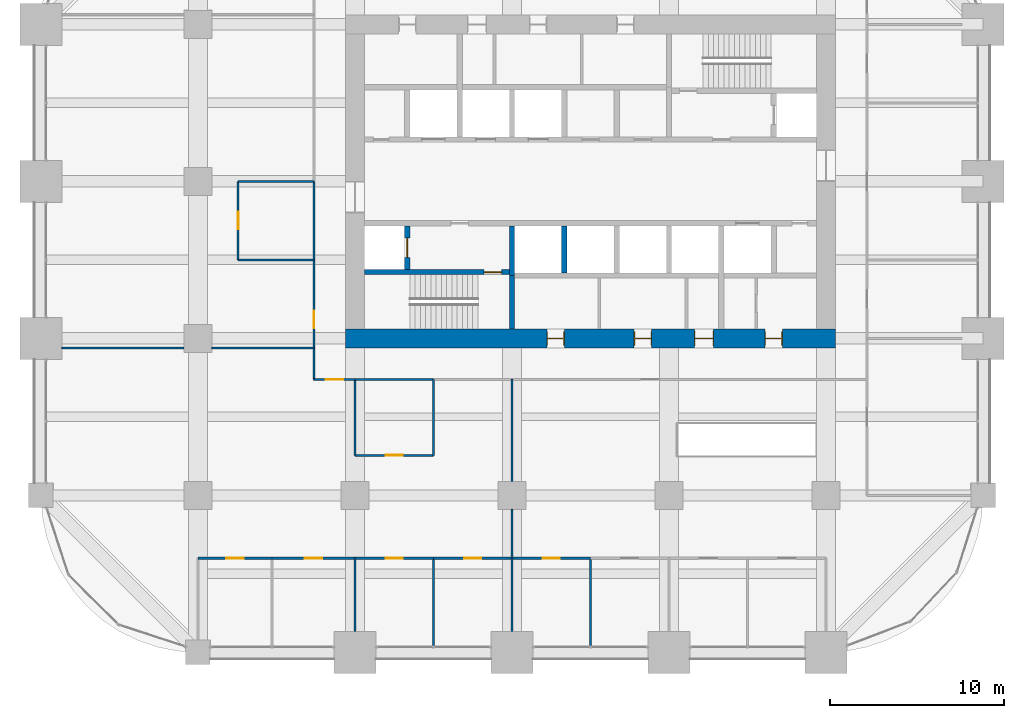
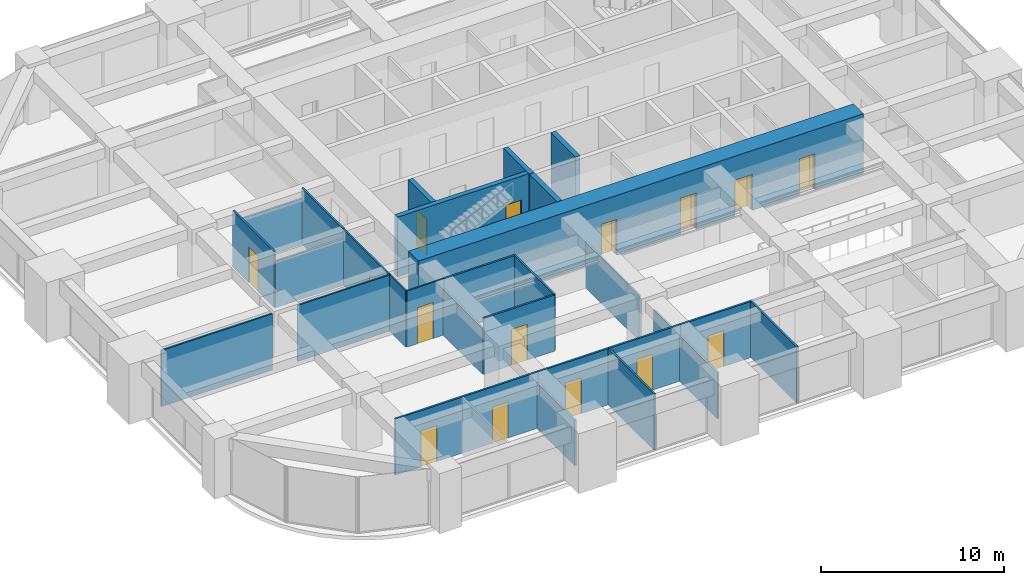
# One storey, part 29 of 33: 29 walls, 15 doors, 15 openings.
"""IFC4 building model written with IfcOpenShell, lengths in metres."""

from ifc_helpers import new_model, si_unit, direction, frame, frame_2d, origin, place, context, subcontext, project, spatial, rectangle, extrude, material, layer, layer_set, type_object, element, fill, save


model = new_model("IFC4")

# Units and contexts
model_context = context("Model", 3, precision=1e-05, world=origin(), true_north=direction((0.0, 1.0)))
body_context = subcontext(model_context, "Body", "Model", "MODEL_VIEW")
ifc_project = project(units=[si_unit("LENGTHUNIT", "METRE"), si_unit("AREAUNIT", "SQUARE_METRE"), si_unit("VOLUMEUNIT", "CUBIC_METRE"), si_unit("PLANEANGLEUNIT", "RADIAN"), si_unit("MASSUNIT", "GRAM", prefix="KILO")], contexts=[model_context])

# Site, building, storey
site_placement = place(None, origin())
site = spatial("IfcSite", under=ifc_project, at=site_placement, CompositionType="ELEMENT")
building_placement = place(site_placement, origin())
building = spatial("IfcBuilding", under=site, at=building_placement, Name="Zorevar Civic Tower", CompositionType="ELEMENT")
storey_placement = place(building_placement, frame((0.0, 0.0, 178.199951171875)))
storey = spatial("IfcBuildingStorey", under=building, at=storey_placement, Name="L43", CompositionType="ELEMENT", Elevation=178.199951171875)

# Wall, openings, doors
ifc_material_1 = material(Name="Concrete C50/60", Category="concrete")
ifc_layer_1 = layer(ifc_material_1, 1.10009765625)
ifc_layer_set_1 = layer_set([ifc_layer_1], Name="Core wall 1100")
wall_type_1 = type_object("IfcWallType", Name="Core wall 1100", PredefinedType="SHEAR", material=ifc_layer_set_1)
wall_1_placement = place(storey_placement, frame((17.449951171875, 18.0, 0.0), z_axis=(0.0, 0.0, 1.0), x_axis=(1.0, 0.0, 0.0)))
wall_1 = element("IfcWall", 1, at=wall_1_placement, inside=storey, type_object=wall_type_1, Name="Core wall S L43", PredefinedType="SHEAR", context=body_context, shape_type="SweptSolid", body=[
    extrude(rectangle(XDim=28.10009765625, YDim=1.10009765625, at=frame_2d((14.050048828125, 0.0))), origin(), (0.0, 0.0, 1.0), 4.0),
])
opening_1_placement = place(wall_1_placement, frame((11.550048828125, 0.0, 0.0)))
opening_1 = element("IfcOpeningElement", 2, at=opening_1_placement, cuts=wall_1, Name="Opening L43.03", PredefinedType="OPENING", context=body_context, shape_type="SweptSolid", body=[
    extrude(rectangle(XDim=1.0, YDim=2.39990234375, at=frame_2d((0.5, 1.199951171875))), frame((0.0, 0.56005859375, 0.0), z_axis=(0.0, -1.0, 0.0), x_axis=(1.0, 0.0, 0.0)), (0.0, 0.0, 1.0), 1.1201171875),
])
opening_2_placement = place(wall_1_placement, frame((16.550048828125, 0.0, 0.0)))
opening_2 = element("IfcOpeningElement", 3, at=opening_2_placement, cuts=wall_1, Name="Opening L43.04", PredefinedType="OPENING", context=body_context, shape_type="SweptSolid", body=[
    extrude(rectangle(XDim=1.0, YDim=2.39990234375, at=frame_2d((0.5, 1.199951171875))), frame((0.0, 0.56005859375, 0.0), z_axis=(0.0, -1.0, 0.0), x_axis=(1.0, 0.0, 0.0)), (0.0, 0.0, 1.0), 1.1201171875),
])
opening_3_placement = place(wall_1_placement, frame((20.0, 0.0, 0.0)))
opening_3 = element("IfcOpeningElement", 4, at=opening_3_placement, cuts=wall_1, Name="Opening L43.05", PredefinedType="OPENING", context=body_context, shape_type="SweptSolid", body=[
    extrude(rectangle(XDim=1.10009765625, YDim=2.39990234375, at=frame_2d((0.550048828125, 1.199951171875))), frame((0.0, 0.56005859375, 0.0), z_axis=(0.0, -1.0, 0.0), x_axis=(1.0, 0.0, 0.0)), (0.0, 0.0, 1.0), 1.1201171875),
])
opening_4_placement = place(wall_1_placement, frame((24.050048828125, 0.0, 0.0)))
opening_4 = element("IfcOpeningElement", 5, at=opening_4_placement, cuts=wall_1, Name="Opening L43.06", PredefinedType="OPENING", context=body_context, shape_type="SweptSolid", body=[
    extrude(rectangle(XDim=1.0, YDim=2.39990234375, at=frame_2d((0.5, 1.199951171875))), frame((0.0, 0.56005859375, 0.0), z_axis=(0.0, -1.0, 0.0), x_axis=(1.0, 0.0, 0.0)), (0.0, 0.0, 1.0), 1.1201171875),
])
ifc_material_2 = material(Name="Timber door set", Category="wood")
door_type_1 = type_object("IfcDoorType", Name="Door D1 1000x2400", OperationType="SINGLE_SWING_LEFT", PredefinedType="DOOR", material=ifc_material_2)
door_1_placement = place(opening_1_placement, origin())
door_1 = element("IfcDoor", 6, at=door_1_placement, inside=storey, type_object=door_type_1, Name="Door L43 02", OperationType="SINGLE_SWING_RIGHT", OverallHeight=2.39990234375, OverallWidth=1.0, PredefinedType="DOOR", context=body_context, shape_type="SweptSolid", body=[
    extrude(rectangle(XDim=1.0, YDim=2.39990234375, at=frame_2d((0.5, 1.199951171875))), frame((0.0, 0.02490234375, 0.0), z_axis=(0.0, -1.0, 0.0), x_axis=(1.0, 0.0, 0.0)), (0.0, 0.0, 1.0), 0.050048828125),
    extrude(rectangle(XDim=0.04, YDim=2.39990234375, at=frame_2d((0.02001953125, 1.199951171875))), frame((0.0, 0.39990234375, 0.0), z_axis=(0.0, -1.0, 0.0), x_axis=(1.0, 0.0, 0.0)), (0.0, 0.0, 1.0), 0.800048828125),
    extrude(rectangle(XDim=0.04, YDim=2.39990234375, at=frame_2d((0.97998046875, 1.199951171875))), frame((0.0, 0.39990234375, 0.0), z_axis=(0.0, -1.0, 0.0), x_axis=(1.0, 0.0, 0.0)), (0.0, 0.0, 1.0), 0.800048828125),
    extrude(rectangle(XDim=1.0, YDim=0.04, at=frame_2d((0.5, 2.3798828125))), frame((0.0, 0.39990234375, 0.0), z_axis=(0.0, -1.0, 0.0), x_axis=(1.0, 0.0, 0.0)), (0.0, 0.0, 1.0), 0.800048828125),
])
fill(opening_1, door_1)
door_2_placement = place(opening_2_placement, origin())
door_2 = element("IfcDoor", 7, at=door_2_placement, inside=storey, type_object=door_type_1, Name="Door L43 03", OperationType="SINGLE_SWING_LEFT", OverallHeight=2.39990234375, OverallWidth=1.0, PredefinedType="DOOR", context=body_context, shape_type="SweptSolid", body=[
    extrude(rectangle(XDim=1.0, YDim=2.39990234375, at=frame_2d((0.5, 1.199951171875))), frame((0.0, 0.02490234375, 0.0), z_axis=(0.0, -1.0, 0.0), x_axis=(1.0, 0.0, 0.0)), (0.0, 0.0, 1.0), 0.050048828125),
    extrude(rectangle(XDim=0.04, YDim=2.39990234375, at=frame_2d((0.02001953125, 1.199951171875))), frame((0.0, 0.39990234375, 0.0), z_axis=(0.0, -1.0, 0.0), x_axis=(1.0, 0.0, 0.0)), (0.0, 0.0, 1.0), 0.800048828125),
    extrude(rectangle(XDim=0.04, YDim=2.39990234375, at=frame_2d((0.97998046875, 1.199951171875))), frame((0.0, 0.39990234375, 0.0), z_axis=(0.0, -1.0, 0.0), x_axis=(1.0, 0.0, 0.0)), (0.0, 0.0, 1.0), 0.800048828125),
    extrude(rectangle(XDim=1.0, YDim=0.04, at=frame_2d((0.5, 2.3798828125))), frame((0.0, 0.39990234375, 0.0), z_axis=(0.0, -1.0, 0.0), x_axis=(1.0, 0.0, 0.0)), (0.0, 0.0, 1.0), 0.800048828125),
])
fill(opening_2, door_2)
door_3_placement = place(opening_4_placement, origin())
door_3 = element("IfcDoor", 8, at=door_3_placement, inside=storey, type_object=door_type_1, Name="Door L43 05", OperationType="SINGLE_SWING_LEFT", OverallHeight=2.39990234375, OverallWidth=1.0, PredefinedType="DOOR", context=body_context, shape_type="SweptSolid", body=[
    extrude(rectangle(XDim=1.0, YDim=2.39990234375, at=frame_2d((0.5, 1.199951171875))), frame((0.0, 0.02490234375, 0.0), z_axis=(0.0, -1.0, 0.0), x_axis=(1.0, 0.0, 0.0)), (0.0, 0.0, 1.0), 0.050048828125),
    extrude(rectangle(XDim=0.04, YDim=2.39990234375, at=frame_2d((0.02001953125, 1.199951171875))), frame((0.0, 0.39990234375, 0.0), z_axis=(0.0, -1.0, 0.0), x_axis=(1.0, 0.0, 0.0)), (0.0, 0.0, 1.0), 0.800048828125),
    extrude(rectangle(XDim=0.04, YDim=2.39990234375, at=frame_2d((0.97998046875, 1.199951171875))), frame((0.0, 0.39990234375, 0.0), z_axis=(0.0, -1.0, 0.0), x_axis=(1.0, 0.0, 0.0)), (0.0, 0.0, 1.0), 0.800048828125),
    extrude(rectangle(XDim=1.0, YDim=0.04, at=frame_2d((0.5, 2.3798828125))), frame((0.0, 0.39990234375, 0.0), z_axis=(0.0, -1.0, 0.0), x_axis=(1.0, 0.0, 0.0)), (0.0, 0.0, 1.0), 0.800048828125),
])
fill(opening_4, door_3)
ifc_material_3 = material(Name="Timber door set", Category="wood")
door_type_2 = type_object("IfcDoorType", Name="Door D5 1100x2400", OperationType="SINGLE_SWING_LEFT", PredefinedType="DOOR", material=ifc_material_3)
door_4_placement = place(opening_3_placement, origin())
door_4 = element("IfcDoor", 9, at=door_4_placement, inside=storey, type_object=door_type_2, Name="Door L43 04", OperationType="SINGLE_SWING_LEFT", OverallHeight=2.39990234375, OverallWidth=1.10009765625, PredefinedType="DOOR", context=body_context, shape_type="SweptSolid", body=[
    extrude(rectangle(XDim=1.10009765625, YDim=2.39990234375, at=frame_2d((0.550048828125, 1.199951171875))), frame((0.0, 0.02490234375, 0.0), z_axis=(0.0, -1.0, 0.0), x_axis=(1.0, 0.0, 0.0)), (0.0, 0.0, 1.0), 0.050048828125),
    extrude(rectangle(XDim=0.04, YDim=2.39990234375, at=frame_2d((0.02001953125, 1.199951171875))), frame((0.0, 0.43994140625, 0.0), z_axis=(0.0, -1.0, 0.0), x_axis=(1.0, 0.0, 0.0)), (0.0, 0.0, 1.0), 0.880126953125),
    extrude(rectangle(XDim=0.04, YDim=2.39990234375, at=frame_2d((1.080078125, 1.199951171875))), frame((0.0, 0.43994140625, 0.0), z_axis=(0.0, -1.0, 0.0), x_axis=(1.0, 0.0, 0.0)), (0.0, 0.0, 1.0), 0.880126953125),
    extrude(rectangle(XDim=1.10009765625, YDim=0.04, at=frame_2d((0.550048828125, 2.3798828125))), frame((0.0, 0.43994140625, 0.0), z_axis=(0.0, -1.0, 0.0), x_axis=(1.0, 0.0, 0.0)), (0.0, 0.0, 1.0), 0.880126953125),
])
fill(opening_3, door_4)

# Wall, opening, door
ifc_material_4 = material(Name="Laminated glass in black aluminium frame", Category="aluminium")
ifc_layer_2 = layer(ifc_material_4, 0.10009765625)
ifc_layer_set_2 = layer_set([ifc_layer_2], Name="Glazed partition 100")
wall_type_2 = type_object("IfcWallType", Name="Glazed partition 100", PredefinedType="PARTITIONING", material=ifc_layer_set_2)
wall_2_placement = place(storey_placement, frame((15.64990234375, 15.64990234375, 0.0), z_axis=(0.0, 0.0, 1.0), x_axis=(1.0, 0.0, 0.0)))
wall_2 = element("IfcWall", 10, at=wall_2_placement, inside=storey, type_object=wall_type_2, Name="Glazed partition 100 L43", PredefinedType="PARTITIONING", context=body_context, shape_type="SweptSolid", body=[
    extrude(rectangle(XDim=2.35009765625, YDim=0.10009765625, at=frame_2d((1.175048828125, 0.0))), origin(), (0.0, 0.0, 1.0), 3.75),
])
opening_5_placement = place(wall_2_placement, frame((0.675048828125, 0.0, 0.0)))
opening_5 = element("IfcOpeningElement", 11, at=opening_5_placement, cuts=wall_2, Name="Opening L43.26", PredefinedType="OPENING", context=body_context, shape_type="SweptSolid", body=[
    extrude(rectangle(XDim=1.0, YDim=2.39990234375, at=frame_2d((0.5, 1.199951171875))), frame((0.0, 0.06005859375, 0.0), z_axis=(0.0, -1.0, 0.0), x_axis=(1.0, 0.0, 0.0)), (0.0, 0.0, 1.0), 0.1201171875),
])
ifc_material_5 = material(Name="Timber door set", Category="wood")
door_type_3 = type_object("IfcDoorType", Name="Glazed door GD1 1000x2400", OperationType="SINGLE_SWING_LEFT", PredefinedType="DOOR", material=ifc_material_5)
door_5_placement = place(opening_5_placement, origin())
door_5 = element("IfcDoor", 12, at=door_5_placement, inside=storey, type_object=door_type_3, Name="Door L43 D1", OperationType="SINGLE_SWING_RIGHT", OverallHeight=2.39990234375, OverallWidth=1.0, PredefinedType="DOOR", context=body_context, shape_type="SweptSolid", body=[
    extrude(rectangle(XDim=1.0, YDim=2.39990234375, at=frame_2d((0.5, 1.199951171875))), frame((0.0, 0.02001953125, 0.0), z_axis=(0.0, -1.0, 0.0), x_axis=(1.0, 0.0, 0.0)), (0.0, 0.0, 1.0), 0.0400390625),
])
fill(opening_5, door_5)

# Walls
wall_3_placement = place(storey_placement, frame((1.199951171875, 17.449951171875, 0.0), z_axis=(0.0, 0.0, 1.0), x_axis=(1.0, 0.0, 0.0)))
element("IfcWall", 13, at=wall_3_placement, inside=storey, type_object=wall_type_2, Name="Glazed partition 100 L43", PredefinedType="PARTITIONING", context=body_context, shape_type="SweptSolid", body=[
    extrude(rectangle(XDim=7.0, YDim=0.10009765625, at=frame_2d((3.5, 0.0))), origin(), (0.0, 0.0, 1.0), 3.75),
])
wall_4_placement = place(storey_placement, frame((9.800048828125, 17.449951171875, 0.0), z_axis=(0.0, 0.0, 1.0), x_axis=(1.0, 0.0, 0.0)))
element("IfcWall", 14, at=wall_4_placement, inside=storey, type_object=wall_type_2, Name="Glazed partition 100 L43", PredefinedType="PARTITIONING", context=body_context, shape_type="SweptSolid", body=[
    extrude(rectangle(XDim=5.849853515625, YDim=0.10009765625, at=frame_2d((2.9248046875, 0.0))), origin(), (0.0, 0.0, 1.0), 3.75),
])

# Wall, opening, door
wall_5_placement = place(storey_placement, frame((15.64990234375, 15.64990234375, 0.0), z_axis=(0.0, 0.0, 1.0), x_axis=(0.0, 1.0, 0.0)))
wall_5 = element("IfcWall", 15, at=wall_5_placement, inside=storey, type_object=wall_type_2, Name="Glazed partition 100 L43", PredefinedType="PARTITIONING", context=body_context, shape_type="SweptSolid", body=[
    extrude(rectangle(XDim=6.85009765625, YDim=0.10009765625, at=frame_2d((3.425048828125, 0.0))), origin(), (0.0, 0.0, 1.0), 3.75),
])
opening_6_placement = place(wall_5_placement, frame((2.925048828125, 0.0, 0.0)))
opening_6 = element("IfcOpeningElement", 16, at=opening_6_placement, cuts=wall_5, Name="Opening L43.31", PredefinedType="OPENING", context=body_context, shape_type="SweptSolid", body=[
    extrude(rectangle(XDim=1.0, YDim=2.39990234375, at=frame_2d((0.5, 1.199951171875))), frame((0.0, 0.06005859375, 0.0), z_axis=(0.0, -1.0, 0.0), x_axis=(1.0, 0.0, 0.0)), (0.0, 0.0, 1.0), 0.1201171875),
])
door_6_placement = place(opening_6_placement, origin())
door_6 = element("IfcDoor", 17, at=door_6_placement, inside=storey, type_object=door_type_3, Name="Door L43 D1", OperationType="SINGLE_SWING_RIGHT", OverallHeight=2.39990234375, OverallWidth=1.0, PredefinedType="DOOR", context=body_context, shape_type="SweptSolid", body=[
    extrude(rectangle(XDim=1.0, YDim=2.39990234375, at=frame_2d((0.5, 1.199951171875))), frame((0.0, 0.02001953125, 0.0), z_axis=(0.0, -1.0, 0.0), x_axis=(1.0, 0.0, 0.0)), (0.0, 0.0, 1.0), 0.0400390625),
])
fill(opening_6, door_6)

# Walls
wall_6_placement = place(storey_placement, frame((27.0, 5.39990234375, 0.0), z_axis=(0.0, 0.0, 1.0), x_axis=(0.0, 1.0, 0.0)))
element("IfcWall", 18, at=wall_6_placement, inside=storey, type_object=wall_type_2, Name="Glazed partition 100 L43", PredefinedType="PARTITIONING", context=body_context, shape_type="SweptSolid", body=[
    extrude(rectangle(XDim=2.800048828125, YDim=0.10009765625, at=frame_2d((1.39990234375, 0.0))), origin(), (0.0, 0.0, 1.0), 3.050048828125),
])
wall_7_placement = place(storey_placement, frame((27.0, 9.800048828125, 0.0), z_axis=(0.0, 0.0, 1.0), x_axis=(0.0, 1.0, 0.0)))
element("IfcWall", 19, at=wall_7_placement, inside=storey, type_object=wall_type_2, Name="Glazed partition 100 L43", PredefinedType="PARTITIONING", context=body_context, shape_type="SweptSolid", body=[
    extrude(rectangle(XDim=5.849853515625, YDim=0.10009765625, at=frame_2d((2.9248046875, 0.0))), origin(), (0.0, 0.0, 1.0), 3.050048828125),
])

# Wall, opening, door
ifc_material_6 = material(Name="Concrete C40/50", Category="concrete")
ifc_layer_3 = layer(ifc_material_6, 0.300048828125)
ifc_layer_set_3 = layer_set([ifc_layer_3], Name="Inner core wall 300")
wall_type_3 = type_object("IfcWallType", Name="Inner core wall 300", PredefinedType="SHEAR", material=ifc_layer_set_3)
wall_8_placement = place(storey_placement, frame((18.550048828125, 21.800048828125, 0.0), z_axis=(0.0, 0.0, 1.0), x_axis=(1.0, 0.0, 0.0)))
wall_8 = element("IfcWall", 20, at=wall_8_placement, inside=storey, type_object=wall_type_3, Name="Inner core wall S00 L43", PredefinedType="SHEAR", context=body_context, shape_type="SweptSolid", body=[
    extrude(rectangle(XDim=8.300048828125, YDim=0.300048828125, at=frame_2d((4.14990234375, 0.0))), origin(), (0.0, 0.0, 1.0), 4.0),
])
opening_7_placement = place(wall_8_placement, frame((6.85009765625, 0.0, 0.0)))
opening_7 = element("IfcOpeningElement", 21, at=opening_7_placement, cuts=wall_8, Name="Opening L43.11", PredefinedType="OPENING", context=body_context, shape_type="SweptSolid", body=[
    extrude(rectangle(XDim=1.0, YDim=2.39990234375, at=frame_2d((0.5, 1.199951171875))), frame((0.0, 0.159912109375, 0.0), z_axis=(0.0, -1.0, 0.0), x_axis=(1.0, 0.0, 0.0)), (0.0, 0.0, 1.0), 0.320068359375),
])
ifc_material_7 = material(Name="Steel door set", Category="steel")
door_type_4 = type_object("IfcDoorType", Name="Fire door FD1 1000x2400", OperationType="SINGLE_SWING_LEFT", PredefinedType="DOOR", material=ifc_material_7)
door_7_placement = place(opening_7_placement, origin())
door_7 = element("IfcDoor", 22, at=door_7_placement, inside=storey, type_object=door_type_4, Name="Door L43 10", OperationType="SINGLE_SWING_RIGHT", OverallHeight=2.39990234375, OverallWidth=1.0, PredefinedType="DOOR", context=body_context, shape_type="SweptSolid", body=[
    extrude(rectangle(XDim=1.0, YDim=2.39990234375, at=frame_2d((0.5, 1.199951171875))), frame((0.0, 0.030029296875, 0.0), z_axis=(0.0, -1.0, 0.0), x_axis=(1.0, 0.0, 0.0)), (0.0, 0.0, 1.0), 0.06005859375),
])
fill(opening_7, door_7)

# Wall
wall_9_placement = place(storey_placement, frame((27.0, 18.550048828125, 0.0), z_axis=(0.0, 0.0, 1.0), x_axis=(0.0, 1.0, 0.0)))
element("IfcWall", 23, at=wall_9_placement, inside=storey, type_object=wall_type_3, Name="Inner core wall S01 L43", PredefinedType="SHEAR", context=body_context, shape_type="SweptSolid", body=[
    extrude(rectangle(XDim=3.050048828125, YDim=0.300048828125, at=frame_2d((1.52490234375, 0.0))), origin(), (0.0, 0.0, 1.0), 4.0),
])

# Wall, opening, door
wall_10_placement = place(storey_placement, frame((21.0, 21.949951171875, 0.0), z_axis=(0.0, 0.0, 1.0), x_axis=(0.0, 1.0, 0.0)))
wall_10 = element("IfcWall", 24, at=wall_10_placement, inside=storey, type_object=wall_type_3, Name="Inner core wall S02 L43", PredefinedType="SHEAR", context=body_context, shape_type="SweptSolid", body=[
    extrude(rectangle(XDim=2.5, YDim=0.300048828125, at=frame_2d((1.25, 0.0))), origin(), (0.0, 0.0, 1.0), 4.0),
])
opening_8_placement = place(wall_10_placement, frame((0.699951171875, 0.0, 0.0)))
opening_8 = element("IfcOpeningElement", 25, at=opening_8_placement, cuts=wall_10, Name="Opening L43.FL1", PredefinedType="OPENING", context=body_context, shape_type="SweptSolid", body=[
    extrude(rectangle(XDim=1.10009765625, YDim=2.39990234375, at=frame_2d((0.550048828125, 1.199951171875))), frame((0.0, 0.159912109375, 0.0), z_axis=(0.0, -1.0, 0.0), x_axis=(1.0, 0.0, 0.0)), (0.0, 0.0, 1.0), 0.320068359375),
])
ifc_material_8 = material(Name="Steel door set", Category="steel")
door_type_5 = type_object("IfcDoorType", Name="Firefighting lift landing door LD3 1100x2400", OperationType="DOUBLE_DOOR_SLIDING", PredefinedType="DOOR", material=ifc_material_8)
door_8_placement = place(opening_8_placement, origin())
door_8 = element("IfcDoor", 26, at=door_8_placement, inside=storey, type_object=door_type_5, Name="Landing door FL1 L43", OperationType="DOUBLE_DOOR_SLIDING", OverallHeight=2.39990234375, OverallWidth=1.10009765625, PredefinedType="DOOR", context=body_context, shape_type="SweptSolid", body=[
    extrude(rectangle(XDim=1.10009765625, YDim=2.39990234375, at=frame_2d((0.550048828125, 1.199951171875))), frame((0.0, 0.030029296875, 0.0), z_axis=(0.0, -1.0, 0.0), x_axis=(1.0, 0.0, 0.0)), (0.0, 0.0, 1.0), 0.06005859375),
])
fill(opening_8, door_8)

# Walls
wall_11_placement = place(storey_placement, frame((30.0, 21.75, 0.0), z_axis=(0.0, 0.0, 1.0), x_axis=(0.0, 1.0, 0.0)))
element("IfcWall", 27, at=wall_11_placement, inside=storey, type_object=wall_type_3, Name="Inner core wall S05 L43", PredefinedType="SHEAR", context=body_context, shape_type="SweptSolid", body=[
    extrude(rectangle(XDim=2.699951171875, YDim=0.300048828125, at=frame_2d((1.35009765625, 0.0))), origin(), (0.0, 0.0, 1.0), 4.0),
])
wall_12_placement = place(storey_placement, frame((27.0, 21.60009765625, 0.0), z_axis=(0.0, 0.0, 1.0), x_axis=(0.0, 1.0, 0.0)))
element("IfcWall", 28, at=wall_12_placement, inside=storey, type_object=wall_type_3, Name="Inner core wall S10 L43", PredefinedType="SHEAR", context=body_context, shape_type="SweptSolid", body=[
    extrude(rectangle(XDim=2.849853515625, YDim=0.300048828125, at=frame_2d((1.4248046875, 0.0))), origin(), (0.0, 0.0, 1.0), 4.0),
])

# Wall, opening, door
ifc_material_9 = material(Name="Gypsum board on steel studs", Category="steel")
ifc_layer_4 = layer(ifc_material_9, 0.1201171875)
ifc_layer_set_4 = layer_set([ifc_layer_4], Name="Partition 120")
wall_type_4 = type_object("IfcWallType", Name="Partition 120", PredefinedType="PARTITIONING", material=ifc_layer_set_4)
wall_13_placement = place(storey_placement, frame((9.0, 5.39990234375, 0.0), z_axis=(0.0, 0.0, 1.0), x_axis=(1.0, 0.0, 0.0)))
wall_13 = element("IfcWall", 29, at=wall_13_placement, inside=storey, type_object=wall_type_4, Name="Partition 120 L43", PredefinedType="PARTITIONING", context=body_context, shape_type="SweptSolid", body=[
    extrude(rectangle(XDim=4.25, YDim=0.1201171875, at=frame_2d((2.125, 0.0))), origin(), (0.0, 0.0, 1.0), 3.75),
])
opening_9_placement = place(wall_13_placement, frame((1.625, 0.0, 0.0)))
opening_9 = element("IfcOpeningElement", 30, at=opening_9_placement, cuts=wall_13, Name="Opening L43.17", PredefinedType="OPENING", context=body_context, shape_type="SweptSolid", body=[
    extrude(rectangle(XDim=1.0, YDim=2.39990234375, at=frame_2d((0.5, 1.199951171875))), frame((0.0, 0.070068359375, 0.0), z_axis=(0.0, -1.0, 0.0), x_axis=(1.0, 0.0, 0.0)), (0.0, 0.0, 1.0), 0.14013671875),
])
door_9_placement = place(opening_9_placement, origin())
door_9 = element("IfcDoor", 31, at=door_9_placement, inside=storey, type_object=door_type_1, Name="Door L43 D1", OperationType="SINGLE_SWING_RIGHT", OverallHeight=2.39990234375, OverallWidth=1.0, PredefinedType="DOOR", context=body_context, shape_type="SweptSolid", body=[
    extrude(rectangle(XDim=1.0, YDim=2.39990234375, at=frame_2d((0.5, 1.199951171875))), frame((0.0, 0.02490234375, 0.0), z_axis=(0.0, -1.0, 0.0), x_axis=(1.0, 0.0, 0.0)), (0.0, 0.0, 1.0), 0.050048828125),
])
fill(opening_9, door_9)

wall_14_placement = place(storey_placement, frame((13.25, 5.39990234375, 0.0), z_axis=(0.0, 0.0, 1.0), x_axis=(1.0, 0.0, 0.0)))
wall_14 = element("IfcWall", 32, at=wall_14_placement, inside=storey, type_object=wall_type_4, Name="Partition 120 L43", PredefinedType="PARTITIONING", context=body_context, shape_type="SweptSolid", body=[
    extrude(rectangle(XDim=4.75, YDim=0.1201171875, at=frame_2d((2.375, 0.0))), origin(), (0.0, 0.0, 1.0), 3.75),
])
opening_10_placement = place(wall_14_placement, frame((1.875, 0.0, 0.0)))
opening_10 = element("IfcOpeningElement", 33, at=opening_10_placement, cuts=wall_14, Name="Opening L43.18", PredefinedType="OPENING", context=body_context, shape_type="SweptSolid", body=[
    extrude(rectangle(XDim=1.0, YDim=2.39990234375, at=frame_2d((0.5, 1.199951171875))), frame((0.0, 0.070068359375, 0.0), z_axis=(0.0, -1.0, 0.0), x_axis=(1.0, 0.0, 0.0)), (0.0, 0.0, 1.0), 0.14013671875),
])
door_10_placement = place(opening_10_placement, origin())
door_10 = element("IfcDoor", 34, at=door_10_placement, inside=storey, type_object=door_type_1, Name="Door L43 D1", OperationType="SINGLE_SWING_LEFT", OverallHeight=2.39990234375, OverallWidth=1.0, PredefinedType="DOOR", context=body_context, shape_type="SweptSolid", body=[
    extrude(rectangle(XDim=1.0, YDim=2.39990234375, at=frame_2d((0.5, 1.199951171875))), frame((0.0, 0.02490234375, 0.0), z_axis=(0.0, -1.0, 0.0), x_axis=(1.0, 0.0, 0.0)), (0.0, 0.0, 1.0), 0.050048828125),
])
fill(opening_10, door_10)

wall_15_placement = place(storey_placement, frame((18.0, 5.39990234375, 0.0), z_axis=(0.0, 0.0, 1.0), x_axis=(1.0, 0.0, 0.0)))
wall_15 = element("IfcWall", 35, at=wall_15_placement, inside=storey, type_object=wall_type_4, Name="Partition 120 L43", PredefinedType="PARTITIONING", context=body_context, shape_type="SweptSolid", body=[
    extrude(rectangle(XDim=4.5, YDim=0.1201171875, at=frame_2d((2.25, 0.0))), origin(), (0.0, 0.0, 1.0), 3.75),
])
opening_11_placement = place(wall_15_placement, frame((1.75, 0.0, 0.0)))
opening_11 = element("IfcOpeningElement", 36, at=opening_11_placement, cuts=wall_15, Name="Opening L43.19", PredefinedType="OPENING", context=body_context, shape_type="SweptSolid", body=[
    extrude(rectangle(XDim=1.0, YDim=2.39990234375, at=frame_2d((0.5, 1.199951171875))), frame((0.0, 0.070068359375, 0.0), z_axis=(0.0, -1.0, 0.0), x_axis=(1.0, 0.0, 0.0)), (0.0, 0.0, 1.0), 0.14013671875),
])
door_11_placement = place(opening_11_placement, origin())
door_11 = element("IfcDoor", 37, at=door_11_placement, inside=storey, type_object=door_type_1, Name="Door L43 D1", OperationType="SINGLE_SWING_LEFT", OverallHeight=2.39990234375, OverallWidth=1.0, PredefinedType="DOOR", context=body_context, shape_type="SweptSolid", body=[
    extrude(rectangle(XDim=1.0, YDim=2.39990234375, at=frame_2d((0.5, 1.199951171875))), frame((0.0, 0.02490234375, 0.0), z_axis=(0.0, -1.0, 0.0), x_axis=(1.0, 0.0, 0.0)), (0.0, 0.0, 1.0), 0.050048828125),
])
fill(opening_11, door_11)

wall_16_placement = place(storey_placement, frame((22.5, 5.39990234375, 0.0), z_axis=(0.0, 0.0, 1.0), x_axis=(1.0, 0.0, 0.0)))
wall_16 = element("IfcWall", 38, at=wall_16_placement, inside=storey, type_object=wall_type_4, Name="Partition 120 L43", PredefinedType="PARTITIONING", context=body_context, shape_type="SweptSolid", body=[
    extrude(rectangle(XDim=4.5, YDim=0.1201171875, at=frame_2d((2.25, 0.0))), origin(), (0.0, 0.0, 1.0), 3.75),
])
opening_12_placement = place(wall_16_placement, frame((1.75, 0.0, 0.0)))
opening_12 = element("IfcOpeningElement", 39, at=opening_12_placement, cuts=wall_16, Name="Opening L43.20", PredefinedType="OPENING", context=body_context, shape_type="SweptSolid", body=[
    extrude(rectangle(XDim=1.0, YDim=2.39990234375, at=frame_2d((0.5, 1.199951171875))), frame((0.0, 0.070068359375, 0.0), z_axis=(0.0, -1.0, 0.0), x_axis=(1.0, 0.0, 0.0)), (0.0, 0.0, 1.0), 0.14013671875),
])
door_12_placement = place(opening_12_placement, origin())
door_12 = element("IfcDoor", 40, at=door_12_placement, inside=storey, type_object=door_type_1, Name="Door L43 D1", OperationType="SINGLE_SWING_LEFT", OverallHeight=2.39990234375, OverallWidth=1.0, PredefinedType="DOOR", context=body_context, shape_type="SweptSolid", body=[
    extrude(rectangle(XDim=1.0, YDim=2.39990234375, at=frame_2d((0.5, 1.199951171875))), frame((0.0, 0.02490234375, 0.0), z_axis=(0.0, -1.0, 0.0), x_axis=(1.0, 0.0, 0.0)), (0.0, 0.0, 1.0), 0.050048828125),
])
fill(opening_12, door_12)

wall_17_placement = place(storey_placement, frame((27.0, 5.39990234375, 0.0), z_axis=(0.0, 0.0, 1.0), x_axis=(1.0, 0.0, 0.0)))
wall_17 = element("IfcWall", 41, at=wall_17_placement, inside=storey, type_object=wall_type_4, Name="Partition 120 L43", PredefinedType="PARTITIONING", context=body_context, shape_type="SweptSolid", body=[
    extrude(rectangle(XDim=4.5, YDim=0.1201171875, at=frame_2d((2.25, 0.0))), origin(), (0.0, 0.0, 1.0), 3.75),
])
opening_13_placement = place(wall_17_placement, frame((1.75, 0.0, 0.0)))
opening_13 = element("IfcOpeningElement", 42, at=opening_13_placement, cuts=wall_17, Name="Opening L43.21", PredefinedType="OPENING", context=body_context, shape_type="SweptSolid", body=[
    extrude(rectangle(XDim=1.0, YDim=2.39990234375, at=frame_2d((0.5, 1.199951171875))), frame((0.0, 0.070068359375, 0.0), z_axis=(0.0, -1.0, 0.0), x_axis=(1.0, 0.0, 0.0)), (0.0, 0.0, 1.0), 0.14013671875),
])
door_13_placement = place(opening_13_placement, origin())
door_13 = element("IfcDoor", 43, at=door_13_placement, inside=storey, type_object=door_type_1, Name="Door L43 D1", OperationType="SINGLE_SWING_RIGHT", OverallHeight=2.39990234375, OverallWidth=1.0, PredefinedType="DOOR", context=body_context, shape_type="SweptSolid", body=[
    extrude(rectangle(XDim=1.0, YDim=2.39990234375, at=frame_2d((0.5, 1.199951171875))), frame((0.0, 0.02490234375, 0.0), z_axis=(0.0, -1.0, 0.0), x_axis=(1.0, 0.0, 0.0)), (0.0, 0.0, 1.0), 0.050048828125),
])
fill(opening_13, door_13)

wall_18_placement = place(storey_placement, frame((18.0, 11.300048828125, 0.0), z_axis=(0.0, 0.0, 1.0), x_axis=(1.0, 0.0, 0.0)))
wall_18 = element("IfcWall", 44, at=wall_18_placement, inside=storey, type_object=wall_type_4, Name="Partition 120 L43", PredefinedType="PARTITIONING", context=body_context, shape_type="SweptSolid", body=[
    extrude(rectangle(XDim=4.5, YDim=0.1201171875, at=frame_2d((2.25, 0.0))), origin(), (0.0, 0.0, 1.0), 3.75),
])
opening_14_placement = place(wall_18_placement, frame((1.75, 0.0, 0.0)))
opening_14 = element("IfcOpeningElement", 45, at=opening_14_placement, cuts=wall_18, Name="Opening L43.25", PredefinedType="OPENING", context=body_context, shape_type="SweptSolid", body=[
    extrude(rectangle(XDim=1.0, YDim=2.39990234375, at=frame_2d((0.5, 1.199951171875))), frame((0.0, 0.070068359375, 0.0), z_axis=(0.0, -1.0, 0.0), x_axis=(1.0, 0.0, 0.0)), (0.0, 0.0, 1.0), 0.14013671875),
])
door_14_placement = place(opening_14_placement, origin())
door_14 = element("IfcDoor", 46, at=door_14_placement, inside=storey, type_object=door_type_1, Name="Door L43 D1", OperationType="SINGLE_SWING_RIGHT", OverallHeight=2.39990234375, OverallWidth=1.0, PredefinedType="DOOR", context=body_context, shape_type="SweptSolid", body=[
    extrude(rectangle(XDim=1.0, YDim=2.39990234375, at=frame_2d((0.5, 1.199951171875))), frame((0.0, 0.02490234375, 0.0), z_axis=(0.0, -1.0, 0.0), x_axis=(1.0, 0.0, 0.0)), (0.0, 0.0, 1.0), 0.050048828125),
])
fill(opening_14, door_14)

# Walls
wall_19_placement = place(storey_placement, frame((18.0, 15.64990234375, 0.0), z_axis=(0.0, 0.0, 1.0), x_axis=(1.0, 0.0, 0.0)))
element("IfcWall", 47, at=wall_19_placement, inside=storey, type_object=wall_type_4, Name="Partition 120 L43", PredefinedType="PARTITIONING", context=body_context, shape_type="SweptSolid", body=[
    extrude(rectangle(XDim=4.5, YDim=0.1201171875, at=frame_2d((2.25, 0.0))), origin(), (0.0, 0.0, 1.0), 3.75),
])
wall_20_placement = place(storey_placement, frame((11.300048828125, 22.5, 0.0), z_axis=(0.0, 0.0, 1.0), x_axis=(1.0, 0.0, 0.0)))
element("IfcWall", 48, at=wall_20_placement, inside=storey, type_object=wall_type_4, Name="Partition 120 L43", PredefinedType="PARTITIONING", context=body_context, shape_type="SweptSolid", body=[
    extrude(rectangle(XDim=4.349853515625, YDim=0.1201171875, at=frame_2d((2.1748046875, 0.0))), origin(), (0.0, 0.0, 1.0), 3.10009765625),
])
wall_21_placement = place(storey_placement, frame((11.300048828125, 27.0, 0.0), z_axis=(0.0, 0.0, 1.0), x_axis=(1.0, 0.0, 0.0)))
element("IfcWall", 49, at=wall_21_placement, inside=storey, type_object=wall_type_4, Name="Partition 120 L43", PredefinedType="PARTITIONING", context=body_context, shape_type="SweptSolid", body=[
    extrude(rectangle(XDim=4.349853515625, YDim=0.1201171875, at=frame_2d((2.1748046875, 0.0))), origin(), (0.0, 0.0, 1.0), 3.050048828125),
])

# Wall, opening, door
wall_22_placement = place(storey_placement, frame((11.300048828125, 22.5, 0.0), z_axis=(0.0, 0.0, 1.0), x_axis=(0.0, 1.0, 0.0)))
wall_22 = element("IfcWall", 50, at=wall_22_placement, inside=storey, type_object=wall_type_4, Name="Partition 120 L43", PredefinedType="PARTITIONING", context=body_context, shape_type="SweptSolid", body=[
    extrude(rectangle(XDim=4.5, YDim=0.1201171875, at=frame_2d((2.25, 0.0))), origin(), (0.0, 0.0, 1.0), 3.75),
])
opening_15_placement = place(wall_22_placement, frame((1.75, 0.0, 0.0)))
opening_15 = element("IfcOpeningElement", 51, at=opening_15_placement, cuts=wall_22, Name="Opening L43.30", PredefinedType="OPENING", context=body_context, shape_type="SweptSolid", body=[
    extrude(rectangle(XDim=1.0, YDim=2.39990234375, at=frame_2d((0.5, 1.199951171875))), frame((0.0, 0.070068359375, 0.0), z_axis=(0.0, -1.0, 0.0), x_axis=(1.0, 0.0, 0.0)), (0.0, 0.0, 1.0), 0.14013671875),
])
door_15_placement = place(opening_15_placement, origin())
door_15 = element("IfcDoor", 52, at=door_15_placement, inside=storey, type_object=door_type_1, Name="Door L43 D1", OperationType="SINGLE_SWING_RIGHT", OverallHeight=2.39990234375, OverallWidth=1.0, PredefinedType="DOOR", context=body_context, shape_type="SweptSolid", body=[
    extrude(rectangle(XDim=1.0, YDim=2.39990234375, at=frame_2d((0.5, 1.199951171875))), frame((0.0, 0.02490234375, 0.0), z_axis=(0.0, -1.0, 0.0), x_axis=(1.0, 0.0, 0.0)), (0.0, 0.0, 1.0), 0.050048828125),
])
fill(opening_15, door_15)

# Walls
wall_23_placement = place(storey_placement, frame((15.64990234375, 22.5, 0.0), z_axis=(0.0, 0.0, 1.0), x_axis=(0.0, 1.0, 0.0)))
element("IfcWall", 53, at=wall_23_placement, inside=storey, type_object=wall_type_4, Name="Partition 120 L43", PredefinedType="PARTITIONING", context=body_context, shape_type="SweptSolid", body=[
    extrude(rectangle(XDim=4.5, YDim=0.1201171875, at=frame_2d((2.25, 0.0))), origin(), (0.0, 0.0, 1.0), 3.75),
])
wall_24_placement = place(storey_placement, frame((18.0, 1.199951171875, 0.0), z_axis=(0.0, 0.0, 1.0), x_axis=(0.0, 1.0, 0.0)))
element("IfcWall", 54, at=wall_24_placement, inside=storey, type_object=wall_type_4, Name="Partition 120 L43", PredefinedType="PARTITIONING", context=body_context, shape_type="SweptSolid", body=[
    extrude(rectangle(XDim=4.199951171875, YDim=0.1201171875, at=frame_2d((2.10009765625, 0.0))), origin(), (0.0, 0.0, 1.0), 3.050048828125),
])
wall_25_placement = place(storey_placement, frame((18.0, 11.300048828125, 0.0), z_axis=(0.0, 0.0, 1.0), x_axis=(0.0, 1.0, 0.0)))
element("IfcWall", 55, at=wall_25_placement, inside=storey, type_object=wall_type_4, Name="Partition 120 L43", PredefinedType="PARTITIONING", context=body_context, shape_type="SweptSolid", body=[
    extrude(rectangle(XDim=4.349853515625, YDim=0.1201171875, at=frame_2d((2.1748046875, 0.0))), origin(), (0.0, 0.0, 1.0), 3.050048828125),
])
wall_26_placement = place(storey_placement, frame((22.5, 0.31005859375, 0.0), z_axis=(0.0, 0.0, 1.0), x_axis=(0.0, 1.0, 0.0)))
element("IfcWall", 56, at=wall_26_placement, inside=storey, type_object=wall_type_4, Name="Partition 120 L43", PredefinedType="PARTITIONING", context=body_context, shape_type="SweptSolid", body=[
    extrude(rectangle(XDim=5.08984375, YDim=0.1201171875, at=frame_2d((2.544921875, 0.0))), origin(), (0.0, 0.0, 1.0), 3.75),
])
wall_27_placement = place(storey_placement, frame((22.5, 11.300048828125, 0.0), z_axis=(0.0, 0.0, 1.0), x_axis=(0.0, 1.0, 0.0)))
element("IfcWall", 57, at=wall_27_placement, inside=storey, type_object=wall_type_4, Name="Partition 120 L43", PredefinedType="PARTITIONING", context=body_context, shape_type="SweptSolid", body=[
    extrude(rectangle(XDim=4.349853515625, YDim=0.1201171875, at=frame_2d((2.1748046875, 0.0))), origin(), (0.0, 0.0, 1.0), 3.75),
])
wall_28_placement = place(storey_placement, frame((27.0, 1.199951171875, 0.0), z_axis=(0.0, 0.0, 1.0), x_axis=(0.0, 1.0, 0.0)))
element("IfcWall", 58, at=wall_28_placement, inside=storey, type_object=wall_type_4, Name="Partition 120 L43", PredefinedType="PARTITIONING", context=body_context, shape_type="SweptSolid", body=[
    extrude(rectangle(XDim=4.199951171875, YDim=0.1201171875, at=frame_2d((2.10009765625, 0.0))), origin(), (0.0, 0.0, 1.0), 3.050048828125),
])
wall_29_placement = place(storey_placement, frame((31.5, 0.31005859375, 0.0), z_axis=(0.0, 0.0, 1.0), x_axis=(0.0, 1.0, 0.0)))
element("IfcWall", 59, at=wall_29_placement, inside=storey, type_object=wall_type_4, Name="Partition 120 L43", PredefinedType="PARTITIONING", context=body_context, shape_type="SweptSolid", body=[
    extrude(rectangle(XDim=5.08984375, YDim=0.1201171875, at=frame_2d((2.544921875, 0.0))), origin(), (0.0, 0.0, 1.0), 3.75),
])

save(model, "model.ifc")
